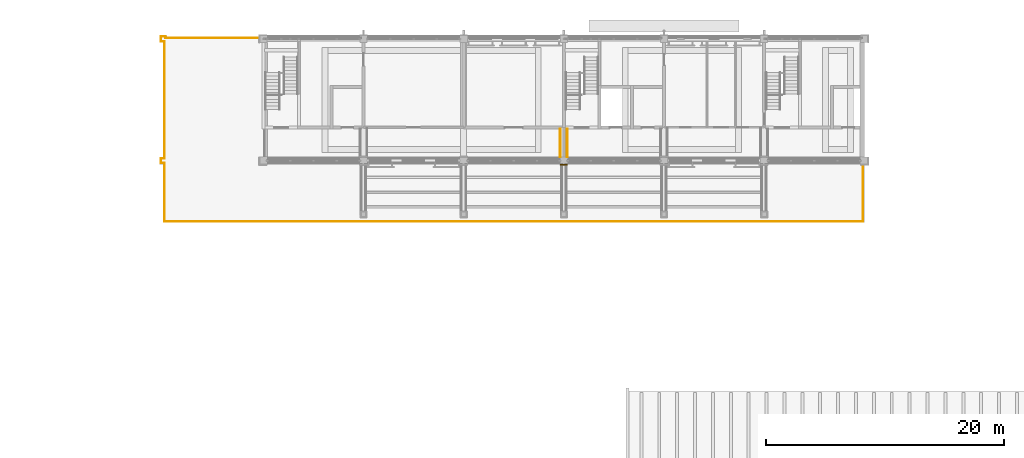
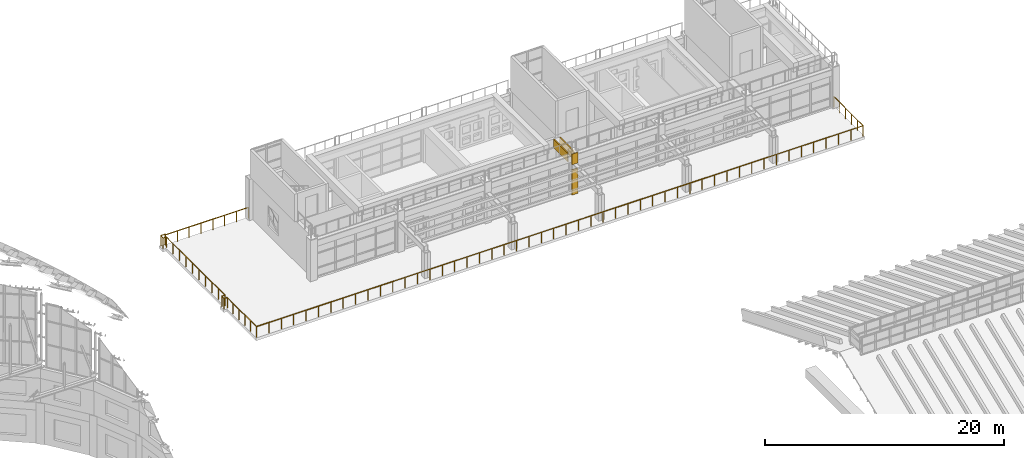
# One storey, part 97 of 105: 4 coverings, 1 railing.
"""IFC4 building model written with IfcOpenShell, lengths in metres."""

from ifc_helpers import new_model, si_unit, direction, frame, origin, origin_2d, place, context, subcontext, project, spatial, polyline, circle, outline, extrude, material, layer, layer_set, type_object, element, save


model = new_model("IFC4")

# Units and contexts
model_context = context("Model", 3, precision=1e-05, world=origin(), true_north=direction((0.0, 1.0)))
body_context = subcontext(model_context, "Body", "Model", "MODEL_VIEW")
ifc_project = project(units=[si_unit("LENGTHUNIT", "METRE"), si_unit("AREAUNIT", "SQUARE_METRE"), si_unit("VOLUMEUNIT", "CUBIC_METRE"), si_unit("PLANEANGLEUNIT", "RADIAN"), si_unit("MASSUNIT", "GRAM", prefix="KILO")], contexts=[model_context])

# Site, building, storey
site_placement = place(None, origin())
site = spatial("IfcSite", under=ifc_project, at=site_placement, CompositionType="ELEMENT")
building_placement = place(site_placement, origin())
building = spatial("IfcBuilding", under=site, at=building_placement, Name="Wasatch Bagh Community Centre", CompositionType="ELEMENT")
storey_placement = place(building_placement, frame((0.0, 0.0, 16.800048828125)))
storey = spatial("IfcBuildingStorey", under=building, at=storey_placement, Name="L04", CompositionType="ELEMENT", Elevation=16.800048828125)

# Coverings
ifc_material_1 = material(Name="Cast stone cladding", Category="masonry")
ifc_layer_1 = layer(ifc_material_1, 0.080078125)
ifc_layer_set_1 = layer_set([ifc_layer_1], Name="Cast stone cladding")
covering_type_1 = type_object("IfcCoveringType", Name="CL-B7 beam facing", PredefinedType="CLADDING", material=ifc_layer_set_1)
covering_1_placement = place(storey_placement, frame((0.0, 0.0, 3.0)))
element("IfcCovering", 1, at=covering_1_placement, inside=storey, type_object=covering_type_1, Name="Beam facing", PredefinedType="CLADDING", context=body_context, shape_type="SweptSolid", body=[
    extrude(outline(polyline([(105.75, 87.89990234375), (105.75, 90.260009765625), (105.669921875, 90.260009765625), (105.669921875, 87.89990234375), (105.75, 87.89990234375)])), origin(), (0.0, 0.0, 1.0), 0.89990234375),
])
covering_2_placement = place(storey_placement, frame((0.0, 0.0, 3.0)))
element("IfcCovering", 2, at=covering_2_placement, inside=storey, type_object=covering_type_1, Name="Beam facing", PredefinedType="CLADDING", context=body_context, shape_type="SweptSolid", body=[
    extrude(outline(polyline([(106.25, 87.89990234375), (106.25, 90.264892578125), (106.330078125, 90.264892578125), (106.330078125, 87.89990234375), (106.25, 87.89990234375)])), origin(), (0.0, 0.0, 1.0), 0.89990234375),
])
ifc_layer_2 = layer(ifc_material_1, 0.080078125)
ifc_layer_set_2 = layer_set([ifc_layer_2], Name="Cast stone cladding")
covering_type_2 = type_object("IfcCoveringType", Name="CL-C1 column facing", PredefinedType="CLADDING", material=ifc_layer_set_2)
covering_3_placement = place(storey_placement, origin())
element("IfcCovering", 3, at=covering_3_placement, inside=storey, type_object=covering_type_2, Name="Column facing", PredefinedType="CLADDING", context=body_context, shape_type="SweptSolid", body=[
    extrude(outline(polyline([(105.699951171875, 87.300048828125), (106.300048828125, 87.300048828125), (106.300048828125, 87.219970703125), (105.699951171875, 87.219970703125), (105.699951171875, 87.300048828125)])), origin(), (0.0, 0.0, 1.0), 2.599853515625),
])
covering_4_placement = place(storey_placement, frame((0.0, 0.0, 3.099853515625)))
element("IfcCovering", 4, at=covering_4_placement, inside=storey, type_object=covering_type_2, Name="Column facing", PredefinedType="CLADDING", context=body_context, shape_type="SweptSolid", body=[
    extrude(outline(polyline([(105.699951171875, 87.300048828125), (106.300048828125, 87.300048828125), (106.300048828125, 87.219970703125), (105.699951171875, 87.219970703125), (105.699951171875, 87.300048828125)])), origin(), (0.0, 0.0, 1.0), 1.10009765625),
])

# Railing
ifc_material_2 = material(Name="Painted steel with jali infill", Category="steel")
railing_type = type_object("IfcRailingType", Name="LW guard 1100", PredefinedType="GUARDRAIL", material=ifc_material_2)
railing_placement = place(storey_placement, frame((131.10009765625, 87.39990234375, 0.0)))
element("IfcRailing", 5, at=railing_placement, inside=storey, type_object=railing_type, Name="Terrace guard T4", PredefinedType="GUARDRAIL", context=body_context, shape_type="SweptSolid", body=[
    extrude(circle(Radius=0.02490234375, at=origin_2d()), frame((0.0, 0.0, 1.0751953125), z_axis=(0.0, -1.0, 0.0), x_axis=(1.0, 0.0, 0.0)), (0.0, 0.0, 1.0), 4.89990234375),
    extrude(circle(Radius=0.02490234375, at=origin_2d()), frame((0.0, -4.89990234375, 1.0751953125), z_axis=(-1.0, 0.0, 0.0), x_axis=(0.0, -1.0, 0.0)), (0.0, 0.0, 1.0), 58.60009765625),
    extrude(circle(Radius=0.02490234375, at=origin_2d()), frame((-58.60009765625, -4.89990234375, 1.0751953125), z_axis=(0.0, 1.0, 0.0), x_axis=(-1.0, 0.0, 0.0)), (0.0, 0.0, 1.0), 4.89990234375),
    extrude(circle(Radius=0.02490234375, at=origin_2d()), frame((-58.60009765625, 0.0, 1.0751953125), z_axis=(-1.0, 0.0, 0.0), x_axis=(0.0, -1.0, 0.0)), (0.0, 0.0, 1.0), 0.300048828125),
    extrude(circle(Radius=0.02490234375, at=origin_2d()), frame((-58.900146484375, 0.0, 1.0751953125), z_axis=(0.0, 1.0, 0.0), x_axis=(-1.0, 0.0, 0.0)), (0.0, 0.0, 1.0), 0.400146484375),
    extrude(circle(Radius=0.02490234375, at=origin_2d()), frame((-58.900146484375, 0.400146484375, 1.0751953125), z_axis=(1.0, 0.0, 0.0), x_axis=(0.0, 1.0, 0.0)), (0.0, 0.0, 1.0), 0.300048828125),
    extrude(circle(Radius=0.02490234375, at=origin_2d()), frame((-58.60009765625, 0.400146484375, 1.0751953125), z_axis=(0.0, 1.0, 0.0), x_axis=(-1.0, 0.0, 0.0)), (0.0, 0.0, 1.0), 9.800048828125),
    extrude(circle(Radius=0.02490234375, at=origin_2d()), frame((-58.60009765625, 10.2001953125, 1.0751953125), z_axis=(-1.0, 0.0, 0.0), x_axis=(0.0, -1.0, 0.0)), (0.0, 0.0, 1.0), 0.300048828125),
    extrude(circle(Radius=0.02490234375, at=origin_2d()), frame((-58.900146484375, 10.2001953125, 1.0751953125), z_axis=(0.0, 1.0, 0.0), x_axis=(-1.0, 0.0, 0.0)), (0.0, 0.0, 1.0), 0.39990234375),
    extrude(circle(Radius=0.02490234375, at=origin_2d()), frame((-58.900146484375, 10.60009765625, 1.0751953125), z_axis=(1.0, 0.0, 0.0), x_axis=(0.0, 1.0, 0.0)), (0.0, 0.0, 1.0), 0.400146484375),
    extrude(circle(Radius=0.02490234375, at=origin_2d()), frame((-58.5, 10.60009765625, 1.0751953125), z_axis=(0.0, -1.0, 0.0), x_axis=(1.0, 0.0, 0.0)), (0.0, 0.0, 1.0), 0.10009765625),
    extrude(circle(Radius=0.02490234375, at=origin_2d()), frame((-58.5, 10.5, 1.0751953125), z_axis=(1.0, 0.0, 0.0), x_axis=(0.0, 1.0, 0.0)), (0.0, 0.0, 1.0), 8.0),
    extrude(circle(Radius=0.02001953125, at=origin_2d()), origin(), (0.0, 0.0, 1.0), 1.050048828125),
    extrude(circle(Radius=0.02001953125, at=origin_2d()), frame((0.0, -0.97998046875, 0.0)), (0.0, 0.0, 1.0), 1.050048828125),
    extrude(circle(Radius=0.02001953125, at=origin_2d()), frame((0.0, -1.9599609375, 0.0)), (0.0, 0.0, 1.0), 1.050048828125),
    extrude(circle(Radius=0.02001953125, at=origin_2d()), frame((0.0, -2.93994140625, 0.0)), (0.0, 0.0, 1.0), 1.050048828125),
    extrude(circle(Radius=0.02001953125, at=origin_2d()), frame((0.0, -3.919921875, 0.0)), (0.0, 0.0, 1.0), 1.050048828125),
    extrude(circle(Radius=0.02001953125, at=origin_2d()), frame((0.0, -4.89990234375, 0.0)), (0.0, 0.0, 1.0), 1.050048828125),
    extrude(circle(Radius=0.02001953125, at=origin_2d()), frame((-1.19580078125, -4.89990234375, 0.0)), (0.0, 0.0, 1.0), 1.050048828125),
    extrude(circle(Radius=0.02001953125, at=origin_2d()), frame((-2.391845703125, -4.89990234375, 0.0)), (0.0, 0.0, 1.0), 1.050048828125),
    extrude(circle(Radius=0.02001953125, at=origin_2d()), frame((-3.587646484375, -4.89990234375, 0.0)), (0.0, 0.0, 1.0), 1.050048828125),
    extrude(circle(Radius=0.02001953125, at=origin_2d()), frame((-4.78369140625, -4.89990234375, 0.0)), (0.0, 0.0, 1.0), 1.050048828125),
    extrude(circle(Radius=0.02001953125, at=origin_2d()), frame((-5.9794921875, -4.89990234375, 0.0)), (0.0, 0.0, 1.0), 1.050048828125),
    extrude(circle(Radius=0.02001953125, at=origin_2d()), frame((-7.175537109375, -4.89990234375, 0.0)), (0.0, 0.0, 1.0), 1.050048828125),
    extrude(circle(Radius=0.02001953125, at=origin_2d()), frame((-8.371337890625, -4.89990234375, 0.0)), (0.0, 0.0, 1.0), 1.050048828125),
    extrude(circle(Radius=0.02001953125, at=origin_2d()), frame((-9.5673828125, -4.89990234375, 0.0)), (0.0, 0.0, 1.0), 1.050048828125),
    extrude(circle(Radius=0.02001953125, at=origin_2d()), frame((-10.76318359375, -4.89990234375, 0.0)), (0.0, 0.0, 1.0), 1.050048828125),
    extrude(circle(Radius=0.02001953125, at=origin_2d()), frame((-11.959228515625, -4.89990234375, 0.0)), (0.0, 0.0, 1.0), 1.050048828125),
    extrude(circle(Radius=0.02001953125, at=origin_2d()), frame((-13.155029296875, -4.89990234375, 0.0)), (0.0, 0.0, 1.0), 1.050048828125),
    extrude(circle(Radius=0.02001953125, at=origin_2d()), frame((-14.35107421875, -4.89990234375, 0.0)), (0.0, 0.0, 1.0), 1.050048828125),
    extrude(circle(Radius=0.02001953125, at=origin_2d()), frame((-15.546875, -4.89990234375, 0.0)), (0.0, 0.0, 1.0), 1.050048828125),
    extrude(circle(Radius=0.02001953125, at=origin_2d()), frame((-16.742919921875, -4.89990234375, 0.0)), (0.0, 0.0, 1.0), 1.050048828125),
    extrude(circle(Radius=0.02001953125, at=origin_2d()), frame((-17.938720703125, -4.89990234375, 0.0)), (0.0, 0.0, 1.0), 1.050048828125),
    extrude(circle(Radius=0.02001953125, at=origin_2d()), frame((-19.134765625, -4.89990234375, 0.0)), (0.0, 0.0, 1.0), 1.050048828125),
    extrude(circle(Radius=0.02001953125, at=origin_2d()), frame((-20.33056640625, -4.89990234375, 0.0)), (0.0, 0.0, 1.0), 1.050048828125),
    extrude(circle(Radius=0.02001953125, at=origin_2d()), frame((-21.526611328125, -4.89990234375, 0.0)), (0.0, 0.0, 1.0), 1.050048828125),
    extrude(circle(Radius=0.02001953125, at=origin_2d()), frame((-22.722412109375, -4.89990234375, 0.0)), (0.0, 0.0, 1.0), 1.050048828125),
    extrude(circle(Radius=0.02001953125, at=origin_2d()), frame((-23.91845703125, -4.89990234375, 0.0)), (0.0, 0.0, 1.0), 1.050048828125),
    extrude(circle(Radius=0.02001953125, at=origin_2d()), frame((-25.1142578125, -4.89990234375, 0.0)), (0.0, 0.0, 1.0), 1.050048828125),
    extrude(circle(Radius=0.02001953125, at=origin_2d()), frame((-26.310302734375, -4.89990234375, 0.0)), (0.0, 0.0, 1.0), 1.050048828125),
    extrude(circle(Radius=0.02001953125, at=origin_2d()), frame((-27.506103515625, -4.89990234375, 0.0)), (0.0, 0.0, 1.0), 1.050048828125),
    extrude(circle(Radius=0.02001953125, at=origin_2d()), frame((-28.7021484375, -4.89990234375, 0.0)), (0.0, 0.0, 1.0), 1.050048828125),
    extrude(circle(Radius=0.02001953125, at=origin_2d()), frame((-29.89794921875, -4.89990234375, 0.0)), (0.0, 0.0, 1.0), 1.050048828125),
    extrude(circle(Radius=0.02001953125, at=origin_2d()), frame((-31.093994140625, -4.89990234375, 0.0)), (0.0, 0.0, 1.0), 1.050048828125),
    extrude(circle(Radius=0.02001953125, at=origin_2d()), frame((-32.289794921875, -4.89990234375, 0.0)), (0.0, 0.0, 1.0), 1.050048828125),
    extrude(circle(Radius=0.02001953125, at=origin_2d()), frame((-33.48583984375, -4.89990234375, 0.0)), (0.0, 0.0, 1.0), 1.050048828125),
    extrude(circle(Radius=0.02001953125, at=origin_2d()), frame((-34.681640625, -4.89990234375, 0.0)), (0.0, 0.0, 1.0), 1.050048828125),
    extrude(circle(Radius=0.02001953125, at=origin_2d()), frame((-35.877685546875, -4.89990234375, 0.0)), (0.0, 0.0, 1.0), 1.050048828125),
    extrude(circle(Radius=0.02001953125, at=origin_2d()), frame((-37.073486328125, -4.89990234375, 0.0)), (0.0, 0.0, 1.0), 1.050048828125),
    extrude(circle(Radius=0.02001953125, at=origin_2d()), frame((-38.26953125, -4.89990234375, 0.0)), (0.0, 0.0, 1.0), 1.050048828125),
    extrude(circle(Radius=0.02001953125, at=origin_2d()), frame((-39.46533203125, -4.89990234375, 0.0)), (0.0, 0.0, 1.0), 1.050048828125),
    extrude(circle(Radius=0.02001953125, at=origin_2d()), frame((-40.661376953125, -4.89990234375, 0.0)), (0.0, 0.0, 1.0), 1.050048828125),
    extrude(circle(Radius=0.02001953125, at=origin_2d()), frame((-41.857177734375, -4.89990234375, 0.0)), (0.0, 0.0, 1.0), 1.050048828125),
    extrude(circle(Radius=0.02001953125, at=origin_2d()), frame((-43.05322265625, -4.89990234375, 0.0)), (0.0, 0.0, 1.0), 1.050048828125),
    extrude(circle(Radius=0.02001953125, at=origin_2d()), frame((-44.2490234375, -4.89990234375, 0.0)), (0.0, 0.0, 1.0), 1.050048828125),
    extrude(circle(Radius=0.02001953125, at=origin_2d()), frame((-45.445068359375, -4.89990234375, 0.0)), (0.0, 0.0, 1.0), 1.050048828125),
    extrude(circle(Radius=0.02001953125, at=origin_2d()), frame((-46.640869140625, -4.89990234375, 0.0)), (0.0, 0.0, 1.0), 1.050048828125),
    extrude(circle(Radius=0.02001953125, at=origin_2d()), frame((-47.8369140625, -4.89990234375, 0.0)), (0.0, 0.0, 1.0), 1.050048828125),
    extrude(circle(Radius=0.02001953125, at=origin_2d()), frame((-49.03271484375, -4.89990234375, 0.0)), (0.0, 0.0, 1.0), 1.050048828125),
    extrude(circle(Radius=0.02001953125, at=origin_2d()), frame((-50.228759765625, -4.89990234375, 0.0)), (0.0, 0.0, 1.0), 1.050048828125),
    extrude(circle(Radius=0.02001953125, at=origin_2d()), frame((-51.424560546875, -4.89990234375, 0.0)), (0.0, 0.0, 1.0), 1.050048828125),
    extrude(circle(Radius=0.02001953125, at=origin_2d()), frame((-52.62060546875, -4.89990234375, 0.0)), (0.0, 0.0, 1.0), 1.050048828125),
    extrude(circle(Radius=0.02001953125, at=origin_2d()), frame((-53.81640625, -4.89990234375, 0.0)), (0.0, 0.0, 1.0), 1.050048828125),
    extrude(circle(Radius=0.02001953125, at=origin_2d()), frame((-55.012451171875, -4.89990234375, 0.0)), (0.0, 0.0, 1.0), 1.050048828125),
    extrude(circle(Radius=0.02001953125, at=origin_2d()), frame((-56.208251953125, -4.89990234375, 0.0)), (0.0, 0.0, 1.0), 1.050048828125),
    extrude(circle(Radius=0.02001953125, at=origin_2d()), frame((-57.404296875, -4.89990234375, 0.0)), (0.0, 0.0, 1.0), 1.050048828125),
    extrude(circle(Radius=0.02001953125, at=origin_2d()), frame((-58.60009765625, -4.89990234375, 0.0)), (0.0, 0.0, 1.0), 1.050048828125),
    extrude(circle(Radius=0.02001953125, at=origin_2d()), frame((-58.60009765625, -3.919921875, 0.0)), (0.0, 0.0, 1.0), 1.050048828125),
    extrude(circle(Radius=0.02001953125, at=origin_2d()), frame((-58.60009765625, -2.93994140625, 0.0)), (0.0, 0.0, 1.0), 1.050048828125),
    extrude(circle(Radius=0.02001953125, at=origin_2d()), frame((-58.60009765625, -1.9599609375, 0.0)), (0.0, 0.0, 1.0), 1.050048828125),
    extrude(circle(Radius=0.02001953125, at=origin_2d()), frame((-58.60009765625, -0.97998046875, 0.0)), (0.0, 0.0, 1.0), 1.050048828125),
    extrude(circle(Radius=0.02001953125, at=origin_2d()), frame((-58.60009765625, 0.0, 0.0)), (0.0, 0.0, 1.0), 1.050048828125),
    extrude(circle(Radius=0.02001953125, at=origin_2d()), frame((-58.900146484375, 0.0, 0.0)), (0.0, 0.0, 1.0), 1.050048828125),
    extrude(circle(Radius=0.02001953125, at=origin_2d()), frame((-58.900146484375, 0.400146484375, 0.0)), (0.0, 0.0, 1.0), 1.050048828125),
    extrude(circle(Radius=0.02001953125, at=origin_2d()), frame((-58.60009765625, 0.400146484375, 0.0)), (0.0, 0.0, 1.0), 1.050048828125),
    extrude(circle(Radius=0.02001953125, at=origin_2d()), frame((-58.60009765625, 1.489013671875, 0.0)), (0.0, 0.0, 1.0), 1.050048828125),
    extrude(circle(Radius=0.02001953125, at=origin_2d()), frame((-58.60009765625, 2.577880859375, 0.0)), (0.0, 0.0, 1.0), 1.050048828125),
    extrude(circle(Radius=0.02001953125, at=origin_2d()), frame((-58.60009765625, 3.666748046875, 0.0)), (0.0, 0.0, 1.0), 1.050048828125),
    extrude(circle(Radius=0.02001953125, at=origin_2d()), frame((-58.60009765625, 4.755615234375, 0.0)), (0.0, 0.0, 1.0), 1.050048828125),
    extrude(circle(Radius=0.02001953125, at=origin_2d()), frame((-58.60009765625, 5.8447265625, 0.0)), (0.0, 0.0, 1.0), 1.050048828125),
    extrude(circle(Radius=0.02001953125, at=origin_2d()), frame((-58.60009765625, 6.93359375, 0.0)), (0.0, 0.0, 1.0), 1.050048828125),
    extrude(circle(Radius=0.02001953125, at=origin_2d()), frame((-58.60009765625, 8.0224609375, 0.0)), (0.0, 0.0, 1.0), 1.050048828125),
    extrude(circle(Radius=0.02001953125, at=origin_2d()), frame((-58.60009765625, 9.111328125, 0.0)), (0.0, 0.0, 1.0), 1.050048828125),
    extrude(circle(Radius=0.02001953125, at=origin_2d()), frame((-58.60009765625, 10.2001953125, 0.0)), (0.0, 0.0, 1.0), 1.050048828125),
    extrude(circle(Radius=0.02001953125, at=origin_2d()), frame((-58.900146484375, 10.2001953125, 0.0)), (0.0, 0.0, 1.0), 1.050048828125),
    extrude(circle(Radius=0.02001953125, at=origin_2d()), frame((-58.900146484375, 10.60009765625, 0.0)), (0.0, 0.0, 1.0), 1.050048828125),
    extrude(circle(Radius=0.02001953125, at=origin_2d()), frame((-58.5, 10.60009765625, 0.0)), (0.0, 0.0, 1.0), 1.050048828125),
    extrude(circle(Radius=0.02001953125, at=origin_2d()), frame((-58.5, 10.5, 0.0)), (0.0, 0.0, 1.0), 1.050048828125),
    extrude(circle(Radius=0.02001953125, at=origin_2d()), frame((-57.357177734375, 10.5, 0.0)), (0.0, 0.0, 1.0), 1.050048828125),
    extrude(circle(Radius=0.02001953125, at=origin_2d()), frame((-56.21435546875, 10.5, 0.0)), (0.0, 0.0, 1.0), 1.050048828125),
    extrude(circle(Radius=0.02001953125, at=origin_2d()), frame((-55.071533203125, 10.5, 0.0)), (0.0, 0.0, 1.0), 1.050048828125),
    extrude(circle(Radius=0.02001953125, at=origin_2d()), frame((-53.928466796875, 10.5, 0.0)), (0.0, 0.0, 1.0), 1.050048828125),
    extrude(circle(Radius=0.02001953125, at=origin_2d()), frame((-52.78564453125, 10.5, 0.0)), (0.0, 0.0, 1.0), 1.050048828125),
    extrude(circle(Radius=0.02001953125, at=origin_2d()), frame((-51.642822265625, 10.5, 0.0)), (0.0, 0.0, 1.0), 1.050048828125),
    extrude(circle(Radius=0.02001953125, at=origin_2d()), frame((-50.5, 10.5, 0.0)), (0.0, 0.0, 1.0), 1.050048828125),
])

save(model, "model.ifc")
